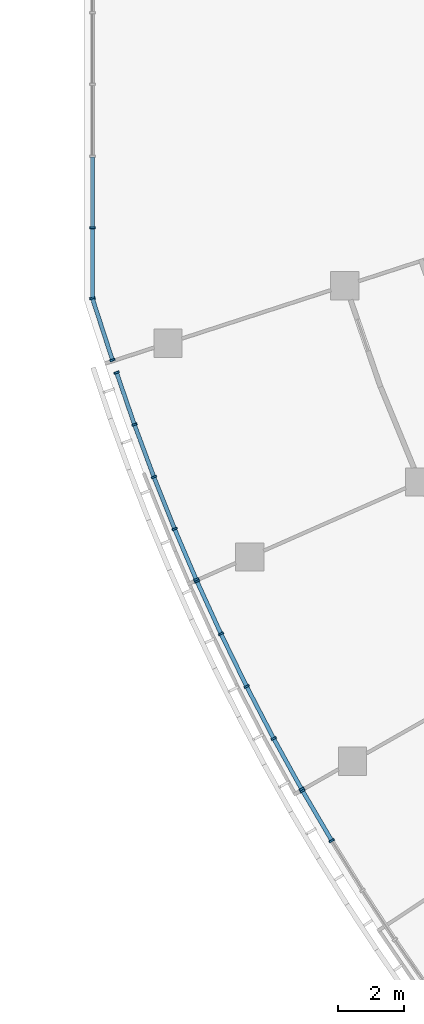
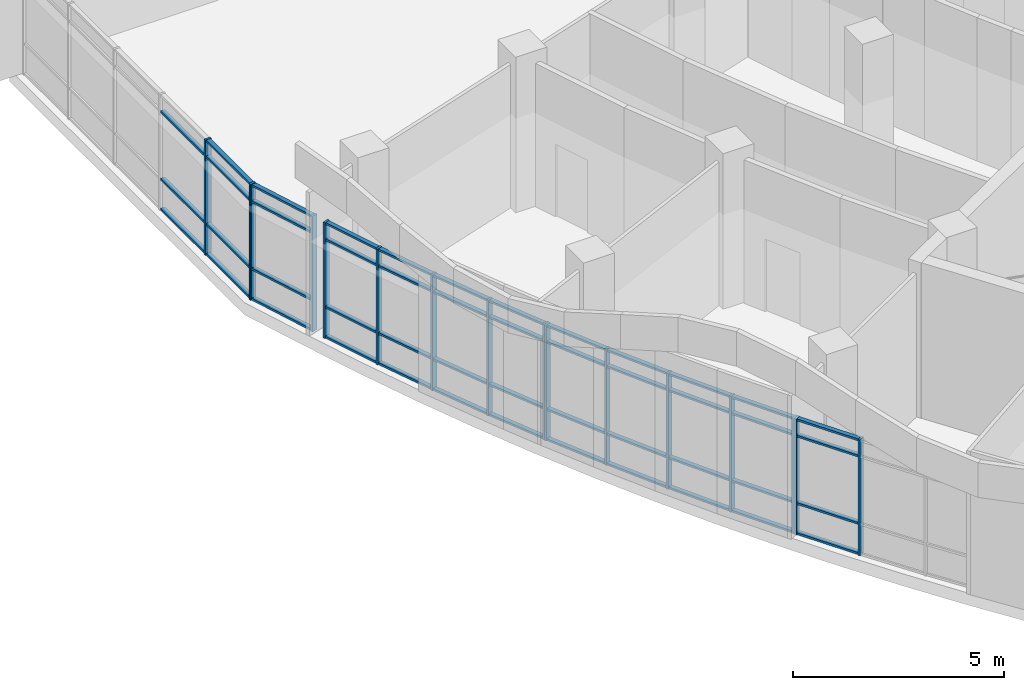
# One storey, part 17 of 136: 63 members, 5 elements without a shape of their own.
"""IFC4 building model written with IfcOpenShell, lengths in metres."""

from ifc_helpers import new_model, si_unit, direction, frame, origin, origin_2d, place, context, subcontext, project, spatial, rectangle, extrude, material, material_profile, profile_set, type_object, element, aggregate, save


model = new_model("IFC4")

# Units and contexts
model_context = context("Model", 3, precision=1e-05, world=origin(), true_north=direction((0.0, 1.0)))
body_context = subcontext(model_context, "Body", "Model", "MODEL_VIEW")
ifc_project = project(units=[si_unit("LENGTHUNIT", "METRE"), si_unit("AREAUNIT", "SQUARE_METRE"), si_unit("VOLUMEUNIT", "CUBIC_METRE"), si_unit("PLANEANGLEUNIT", "RADIAN"), si_unit("MASSUNIT", "GRAM", prefix="KILO")], contexts=[model_context])

# Site, building, storey
site_placement = place(None, origin())
site = spatial("IfcSite", under=ifc_project, at=site_placement, CompositionType="ELEMENT")
building_placement = place(site_placement, origin())
building = spatial("IfcBuilding", under=site, at=building_placement, Name="Bougainvillea Quay General Hospital", CompositionType="ELEMENT")
storey_placement = place(building_placement, frame((0.0, 0.0, 5.39990234375)))
storey = spatial("IfcBuildingStorey", under=building, at=storey_placement, Name="L01", CompositionType="ELEMENT", Elevation=5.39990234375)

# Curtain wall, members
ifc_material_1 = material(Name="Aluminium curtain wall system, powder-coated glazed", Category="aluminium")
curtain_wall_type_1 = type_object("IfcCurtainWallType", Name="Unitised curtain wall CW-2162", PredefinedType="NOTDEFINED", material=ifc_material_1)
curtain_wall_1_placement = place(storey_placement, origin())
curtain_wall_1 = element("IfcCurtainWall", 1, at=curtain_wall_1_placement, inside=storey, type_object=curtain_wall_type_1, Name="CW-AE 00", PredefinedType="NOTDEFINED")
ifc_material_2 = material(Name="Aluminium mullion, powder-coated charcoal", Category="aluminium")
ifc_material_profile_1 = material_profile(ifc_material_2, rectangle(XDim=0.159912109375, YDim=0.06005859375, at=origin_2d()))
ifc_profile_set_1 = profile_set([ifc_material_profile_1], Name="Aluminium mullion, powder-coated charcoal")
member_type_1 = type_object("IfcMemberType", Name="Curtain wall mullion 160x60", PredefinedType="MULLION", material=ifc_profile_set_1)
member_1_placement = place(storey_placement, frame((42.25, 108.457763671875, 0.0), z_axis=(0.0, 0.0, 1.0), x_axis=(1.0, 0.0, 0.0)))
member_1 = element("IfcMember", 2, at=member_1_placement, type_object=member_type_1, Name="CW-AE mullion 5", PredefinedType="MULLION", context=body_context, shape_type="SweptSolid", body=[
    extrude(rectangle(XDim=0.159912109375, YDim=0.06005859375, at=origin_2d()), origin(), (0.0, 0.0, 1.0), 3.35009765625),
])
member_2_placement = place(storey_placement, frame((42.25, 106.325927734375, 0.0), z_axis=(0.0, 0.0, 1.0), x_axis=(1.0, 0.0, 0.0)))
member_2 = element("IfcMember", 3, at=member_2_placement, type_object=member_type_1, Name="CW-AE mullion 6", PredefinedType="MULLION", context=body_context, shape_type="SweptSolid", body=[
    extrude(rectangle(XDim=0.159912109375, YDim=0.06005859375, at=origin_2d()), origin(), (0.0, 0.0, 1.0), 3.35009765625),
])

curtain_wall_type_2 = type_object("IfcCurtainWallType", Name="Unitised curtain wall CW-2027", PredefinedType="NOTDEFINED", material=ifc_material_1)
curtain_wall_2_placement = place(storey_placement, origin())
curtain_wall_2 = element("IfcCurtainWall", 4, at=curtain_wall_2_placement, inside=storey, type_object=curtain_wall_type_2, Name="CW-AE 00", PredefinedType="NOTDEFINED")
member_3_placement = place(storey_placement, frame((42.2470703125, 106.3447265625, 0.0), z_axis=(0.0, 0.0, 1.0), x_axis=(0.951073957858, 0.30896330961, 0.0)))
member_3 = element("IfcMember", 5, at=member_3_placement, type_object=member_type_1, Name="CW-AE mullion 1", PredefinedType="MULLION", context=body_context, shape_type="SweptSolid", body=[
    extrude(rectangle(XDim=0.159912109375, YDim=0.06005859375, at=origin_2d()), origin(), (0.0, 0.0, 1.0), 3.35009765625),
])
member_4_placement = place(storey_placement, frame((42.8544921875, 104.474853515625, 0.0), z_axis=(0.0, 0.0, 1.0), x_axis=(0.951073957858, 0.30896330961, 0.0)))
member_4 = element("IfcMember", 6, at=member_4_placement, type_object=member_type_1, Name="CW-AE mullion 2", PredefinedType="MULLION", context=body_context, shape_type="SweptSolid", body=[
    extrude(rectangle(XDim=0.159912109375, YDim=0.06005859375, at=origin_2d()), origin(), (0.0, 0.0, 1.0), 3.35009765625),
])

curtain_wall_type_3 = type_object("IfcCurtainWallType", Name="Unitised curtain wall CW-2100", PredefinedType="NOTDEFINED", material=ifc_material_1)
curtain_wall_3_placement = place(storey_placement, origin())
curtain_wall_3 = element("IfcCurtainWall", 7, at=curtain_wall_3_placement, inside=storey, type_object=curtain_wall_type_3, Name="CW-W06 a01b5", PredefinedType="NOTDEFINED")
member_5_placement = place(storey_placement, frame((49.46337890625, 89.99169921875, 0.0), z_axis=(0.0, 0.0, 1.0), x_axis=(-0.856438326455, -0.516249351553, 0.0)))
member_5 = element("IfcMember", 8, at=member_5_placement, type_object=member_type_1, Name="CW-W06 mullion 4", PredefinedType="MULLION", context=body_context, shape_type="SweptSolid", body=[
    extrude(rectangle(XDim=0.159912109375, YDim=0.06005859375, at=origin_2d()), origin(), (0.0, 0.0, 1.0), 3.35009765625),
])
member_6_placement = place(storey_placement, frame((48.584716796875, 91.491943359375, 0.0), z_axis=(0.0, 0.0, 1.0), x_axis=(-0.862915251166, -0.505348661129, 0.0)))
member_6 = element("IfcMember", 9, at=member_6_placement, type_object=member_type_1, Name="CW-W06 mullion 5", PredefinedType="MULLION", context=body_context, shape_type="SweptSolid", body=[
    extrude(rectangle(XDim=0.159912109375, YDim=0.06005859375, at=origin_2d()), origin(), (0.0, 0.0, 1.0), 3.35009765625),
])

curtain_wall_4_placement = place(storey_placement, origin())
curtain_wall_4 = element("IfcCurtainWall", 10, at=curtain_wall_4_placement, inside=storey, type_object=curtain_wall_type_3, Name="CW-W07 a01b6", PredefinedType="NOTDEFINED")
member_7_placement = place(storey_placement, frame((48.55517578125, 91.544189453125, 0.0), z_axis=(0.0, 0.0, 1.0), x_axis=(-0.875451874397, -0.483305302697, 0.0)))
member_7 = element("IfcMember", 11, at=member_7_placement, type_object=member_type_1, Name="CW-W07 mullion 1", PredefinedType="MULLION", context=body_context, shape_type="SweptSolid", body=[
    extrude(rectangle(XDim=0.159912109375, YDim=0.06005859375, at=origin_2d()), origin(), (0.0, 0.0, 1.0), 3.35009765625),
])
member_8_placement = place(storey_placement, frame((47.71484375, 93.06640625, 0.0), z_axis=(0.0, 0.0, 1.0), x_axis=(-0.881509557333, -0.472166178724, 0.0)))
member_8 = element("IfcMember", 12, at=member_8_placement, type_object=member_type_1, Name="CW-W07 mullion 2", PredefinedType="MULLION", context=body_context, shape_type="SweptSolid", body=[
    extrude(rectangle(XDim=0.159912109375, YDim=0.06005859375, at=origin_2d()), origin(), (0.0, 0.0, 1.0), 3.35009765625),
])
member_9_placement = place(storey_placement, frame((46.8994140625, 94.635986328125, 0.0), z_axis=(0.0, 0.0, 1.0), x_axis=(-0.893198796365, -0.449661995473, 0.0)))
member_9 = element("IfcMember", 13, at=member_9_placement, type_object=member_type_1, Name="CW-W07 mullion 3", PredefinedType="MULLION", context=body_context, shape_type="SweptSolid", body=[
    extrude(rectangle(XDim=0.159912109375, YDim=0.06005859375, at=origin_2d()), origin(), (0.0, 0.0, 1.0), 3.35009765625),
])
member_10_placement = place(storey_placement, frame((46.1240234375, 96.225830078125, 0.0), z_axis=(0.0, 0.0, 1.0), x_axis=(-0.904313640176, -0.426868645126, 0.0)))
member_10 = element("IfcMember", 14, at=member_10_placement, type_object=member_type_1, Name="CW-W07 mullion 4", PredefinedType="MULLION", context=body_context, shape_type="SweptSolid", body=[
    extrude(rectangle(XDim=0.159912109375, YDim=0.06005859375, at=origin_2d()), origin(), (0.0, 0.0, 1.0), 3.35009765625),
])
member_11_placement = place(storey_placement, frame((45.40185546875, 97.8076171875, 0.0), z_axis=(0.0, 0.0, 1.0), x_axis=(-0.909653415663, -0.415368105869, 0.0)))
member_11 = element("IfcMember", 15, at=member_11_placement, type_object=member_type_1, Name="CW-W07 mullion 5", PredefinedType="MULLION", context=body_context, shape_type="SweptSolid", body=[
    extrude(rectangle(XDim=0.159912109375, YDim=0.06005859375, at=origin_2d()), origin(), (0.0, 0.0, 1.0), 3.35009765625),
])

curtain_wall_5_placement = place(storey_placement, origin())
curtain_wall_5 = element("IfcCurtainWall", 16, at=curtain_wall_5_placement, inside=storey, type_object=curtain_wall_type_3, Name="CW-W08 a01b7", PredefinedType="NOTDEFINED")
member_12_placement = place(storey_placement, frame((45.377685546875, 97.862548828125, 0.0), z_axis=(0.0, 0.0, 1.0), x_axis=(-0.919658672607, -0.392718634519, 0.0)))
member_12 = element("IfcMember", 17, at=member_12_placement, type_object=member_type_1, Name="CW-W08 mullion 1", PredefinedType="MULLION", context=body_context, shape_type="SweptSolid", body=[
    extrude(rectangle(XDim=0.159912109375, YDim=0.06005859375, at=origin_2d()), origin(), (0.0, 0.0, 1.0), 3.35009765625),
])
member_13_placement = place(storey_placement, frame((44.7275390625, 99.384765625, 0.0), z_axis=(0.0, 0.0, 1.0), x_axis=(-0.924336164481, -0.381579159588, 0.0)))
member_13 = element("IfcMember", 18, at=member_13_placement, type_object=member_type_1, Name="CW-W08 mullion 2", PredefinedType="MULLION", context=body_context, shape_type="SweptSolid", body=[
    extrude(rectangle(XDim=0.159912109375, YDim=0.06005859375, at=origin_2d()), origin(), (0.0, 0.0, 1.0), 3.35009765625),
])
member_14_placement = place(storey_placement, frame((44.103271484375, 100.950439453125, 0.0), z_axis=(0.0, 0.0, 1.0), x_axis=(-0.9332857179, -0.359134750148, 0.0)))
member_14 = element("IfcMember", 19, at=member_14_placement, type_object=member_type_1, Name="CW-W08 mullion 3", PredefinedType="MULLION", context=body_context, shape_type="SweptSolid", body=[
    extrude(rectangle(XDim=0.159912109375, YDim=0.06005859375, at=origin_2d()), origin(), (0.0, 0.0, 1.0), 3.35009765625),
])
member_15_placement = place(storey_placement, frame((43.51708984375, 102.530517578125, 0.0), z_axis=(0.0, 0.0, 1.0), x_axis=(-0.941690376159, -0.336480661329, 0.0)))
member_15 = element("IfcMember", 20, at=member_15_placement, type_object=member_type_1, Name="CW-W08 mullion 4", PredefinedType="MULLION", context=body_context, shape_type="SweptSolid", body=[
    extrude(rectangle(XDim=0.159912109375, YDim=0.06005859375, at=origin_2d()), origin(), (0.0, 0.0, 1.0), 3.35009765625),
])
member_16_placement = place(storey_placement, frame((42.97900390625, 104.095947265625, 0.0), z_axis=(0.0, 0.0, 1.0), x_axis=(-0.945686823657, -0.325079115849, 0.0)))
member_16 = element("IfcMember", 21, at=member_16_placement, type_object=member_type_1, Name="CW-W08 mullion 5", PredefinedType="MULLION", context=body_context, shape_type="SweptSolid", body=[
    extrude(rectangle(XDim=0.159912109375, YDim=0.06005859375, at=origin_2d()), origin(), (0.0, 0.0, 1.0), 3.35009765625),
])

# Member
ifc_material_3 = material(Name="Aluminium transom, powder-coated charcoal", Category="aluminium")
ifc_material_profile_2 = material_profile(ifc_material_3, rectangle(XDim=0.1201171875, YDim=0.06005859375, at=origin_2d()))
ifc_profile_set_2 = profile_set([ifc_material_profile_2], Name="Aluminium transom, powder-coated charcoal")
member_type_2 = type_object("IfcMemberType", Name="Curtain wall transom 120x60", PredefinedType="USERDEFINED", material=ifc_profile_set_2)
member_17_placement = place(storey_placement, frame((42.25, 110.589599609375, 0.030029296875), z_axis=(0.0, -1.0, 0.0), x_axis=(1.0, 0.0, 0.0)))
member_17 = element("IfcMember", 22, at=member_17_placement, type_object=member_type_2, Name="CW-AE transom 4.1", ObjectType="TRANSOM", PredefinedType="USERDEFINED", context=body_context, shape_type="SweptSolid", body=[
    extrude(rectangle(XDim=0.1201171875, YDim=0.06005859375, at=origin_2d()), origin(), (0.0, 0.0, 1.0), 2.101806640625),
])

member_18_placement = place(storey_placement, frame((42.25, 110.589599609375, 0.900146484375), z_axis=(0.0, -1.0, 0.0), x_axis=(1.0, 0.0, 0.0)))
member_18 = element("IfcMember", 23, at=member_18_placement, type_object=member_type_2, Name="CW-AE transom 4.2", ObjectType="TRANSOM", PredefinedType="USERDEFINED", context=body_context, shape_type="SweptSolid", body=[
    extrude(rectangle(XDim=0.1201171875, YDim=0.06005859375, at=origin_2d()), origin(), (0.0, 0.0, 1.0), 2.101806640625),
])

member_19_placement = place(storey_placement, frame((42.25, 110.589599609375, 2.85009765625), z_axis=(0.0, -1.0, 0.0), x_axis=(1.0, 0.0, 0.0)))
member_19 = element("IfcMember", 24, at=member_19_placement, type_object=member_type_2, Name="CW-AE transom 4.3", ObjectType="TRANSOM", PredefinedType="USERDEFINED", context=body_context, shape_type="SweptSolid", body=[
    extrude(rectangle(XDim=0.1201171875, YDim=0.06005859375, at=origin_2d()), origin(), (0.0, 0.0, 1.0), 2.101806640625),
])

member_20_placement = place(storey_placement, frame((42.25, 108.427734375, 0.030029296875), z_axis=(0.0, -1.0, 0.0), x_axis=(1.0, 0.0, 0.0)))
member_20 = element("IfcMember", 25, at=member_20_placement, type_object=member_type_2, Name="CW-AE transom 5.1", ObjectType="TRANSOM", PredefinedType="USERDEFINED", context=body_context, shape_type="SweptSolid", body=[
    extrude(rectangle(XDim=0.1201171875, YDim=0.06005859375, at=origin_2d()), origin(), (0.0, 0.0, 1.0), 2.07177734375),
])

member_21_placement = place(storey_placement, frame((42.25, 108.427734375, 0.900146484375), z_axis=(0.0, -1.0, 0.0), x_axis=(1.0, 0.0, 0.0)))
member_21 = element("IfcMember", 26, at=member_21_placement, type_object=member_type_2, Name="CW-AE transom 5.2", ObjectType="TRANSOM", PredefinedType="USERDEFINED", context=body_context, shape_type="SweptSolid", body=[
    extrude(rectangle(XDim=0.1201171875, YDim=0.06005859375, at=origin_2d()), origin(), (0.0, 0.0, 1.0), 2.07177734375),
])

member_22_placement = place(storey_placement, frame((42.25, 108.427734375, 2.85009765625), z_axis=(0.0, -1.0, 0.0), x_axis=(1.0, 0.0, 0.0)))
member_22 = element("IfcMember", 27, at=member_22_placement, type_object=member_type_2, Name="CW-AE transom 5.3", ObjectType="TRANSOM", PredefinedType="USERDEFINED", context=body_context, shape_type="SweptSolid", body=[
    extrude(rectangle(XDim=0.1201171875, YDim=0.06005859375, at=origin_2d()), origin(), (0.0, 0.0, 1.0), 2.07177734375),
])

member_23_placement = place(storey_placement, frame((42.25, 108.427734375, 3.320068359375), z_axis=(0.0, -1.0, 0.0), x_axis=(1.0, 0.0, 0.0)))
member_23 = element("IfcMember", 28, at=member_23_placement, type_object=member_type_2, Name="CW-AE transom 5.4", ObjectType="TRANSOM", PredefinedType="USERDEFINED", context=body_context, shape_type="SweptSolid", body=[
    extrude(rectangle(XDim=0.1201171875, YDim=0.06005859375, at=origin_2d()), origin(), (0.0, 0.0, 1.0), 2.07177734375),
])

aggregate(curtain_wall_1, [member_1, member_2, member_17, member_18, member_19, member_20, member_21, member_22, member_23])

member_24_placement = place(storey_placement, frame((42.25634765625, 106.316162109375, 0.030029296875), z_axis=(0.308955733663, -0.951076418926, 0.0), x_axis=(0.951076418926, 0.308955733663, 0.0)))
member_24 = element("IfcMember", 29, at=member_24_placement, type_object=member_type_2, Name="CW-AE transom 1.1", ObjectType="TRANSOM", PredefinedType="USERDEFINED", context=body_context, shape_type="SweptSolid", body=[
    extrude(rectangle(XDim=0.1201171875, YDim=0.06005859375, at=origin_2d()), origin(), (0.0, 0.0, 1.0), 1.906005859375),
])

member_25_placement = place(storey_placement, frame((42.25634765625, 106.316162109375, 0.900146484375), z_axis=(0.308955733663, -0.951076418926, 0.0), x_axis=(0.951076418926, 0.308955733663, 0.0)))
member_25 = element("IfcMember", 30, at=member_25_placement, type_object=member_type_2, Name="CW-AE transom 1.2", ObjectType="TRANSOM", PredefinedType="USERDEFINED", context=body_context, shape_type="SweptSolid", body=[
    extrude(rectangle(XDim=0.1201171875, YDim=0.06005859375, at=origin_2d()), origin(), (0.0, 0.0, 1.0), 1.906005859375),
])

member_26_placement = place(storey_placement, frame((42.25634765625, 106.316162109375, 2.85009765625), z_axis=(0.308955733663, -0.951076418926, 0.0), x_axis=(0.951076418926, 0.308955733663, 0.0)))
member_26 = element("IfcMember", 31, at=member_26_placement, type_object=member_type_2, Name="CW-AE transom 1.3", ObjectType="TRANSOM", PredefinedType="USERDEFINED", context=body_context, shape_type="SweptSolid", body=[
    extrude(rectangle(XDim=0.1201171875, YDim=0.06005859375, at=origin_2d()), origin(), (0.0, 0.0, 1.0), 1.906005859375),
])

member_27_placement = place(storey_placement, frame((42.25634765625, 106.316162109375, 3.320068359375), z_axis=(0.308955733663, -0.951076418926, 0.0), x_axis=(0.951076418926, 0.308955733663, 0.0)))
member_27 = element("IfcMember", 32, at=member_27_placement, type_object=member_type_2, Name="CW-AE transom 1.4", ObjectType="TRANSOM", PredefinedType="USERDEFINED", context=body_context, shape_type="SweptSolid", body=[
    extrude(rectangle(XDim=0.1201171875, YDim=0.06005859375, at=origin_2d()), origin(), (0.0, 0.0, 1.0), 1.906005859375),
])

aggregate(curtain_wall_2, [member_3, member_4, member_24, member_25, member_26, member_27])

member_28_placement = place(storey_placement, frame((49.4482421875, 90.017578125, 0.030029296875), z_axis=(-0.505398470554, 0.862886079365, 0.0), x_axis=(-0.862886079365, -0.505398470554, 0.0)))
member_28 = element("IfcMember", 33, at=member_28_placement, type_object=member_type_2, Name="CW-W06 transom 4.1", ObjectType="TRANSOM", PredefinedType="USERDEFINED", context=body_context, shape_type="SweptSolid", body=[
    extrude(rectangle(XDim=0.1201171875, YDim=0.06005859375, at=origin_2d()), origin(), (0.0, 0.0, 1.0), 1.6787109375),
])

member_29_placement = place(storey_placement, frame((49.4482421875, 90.017578125, 0.900146484375), z_axis=(-0.505398470554, 0.862886079365, 0.0), x_axis=(-0.862886079365, -0.505398470554, 0.0)))
member_29 = element("IfcMember", 34, at=member_29_placement, type_object=member_type_2, Name="CW-W06 transom 4.2", ObjectType="TRANSOM", PredefinedType="USERDEFINED", context=body_context, shape_type="SweptSolid", body=[
    extrude(rectangle(XDim=0.1201171875, YDim=0.06005859375, at=origin_2d()), origin(), (0.0, 0.0, 1.0), 1.6787109375),
])

member_30_placement = place(storey_placement, frame((49.4482421875, 90.017578125, 2.85009765625), z_axis=(-0.505398470554, 0.862886079365, 0.0), x_axis=(-0.862886079365, -0.505398470554, 0.0)))
member_30 = element("IfcMember", 35, at=member_30_placement, type_object=member_type_2, Name="CW-W06 transom 4.3", ObjectType="TRANSOM", PredefinedType="USERDEFINED", context=body_context, shape_type="SweptSolid", body=[
    extrude(rectangle(XDim=0.1201171875, YDim=0.06005859375, at=origin_2d()), origin(), (0.0, 0.0, 1.0), 1.6787109375),
])

member_31_placement = place(storey_placement, frame((49.4482421875, 90.017578125, 3.320068359375), z_axis=(-0.505398470554, 0.862886079365, 0.0), x_axis=(-0.862886079365, -0.505398470554, 0.0)))
member_31 = element("IfcMember", 36, at=member_31_placement, type_object=member_type_2, Name="CW-W06 transom 4.4", ObjectType="TRANSOM", PredefinedType="USERDEFINED", context=body_context, shape_type="SweptSolid", body=[
    extrude(rectangle(XDim=0.1201171875, YDim=0.06005859375, at=origin_2d()), origin(), (0.0, 0.0, 1.0), 1.6787109375),
])

aggregate(curtain_wall_3, [member_5, member_6, member_28, member_29, member_30, member_31])

member_32_placement = place(storey_placement, frame((48.54052734375, 91.570556640625, 0.030029296875), z_axis=(-0.483319558897, 0.875444003913, 0.0), x_axis=(-0.875444003913, -0.483319558897, 0.0)))
member_32 = element("IfcMember", 37, at=member_32_placement, type_object=member_type_2, Name="CW-W07 transom 1.1", ObjectType="TRANSOM", PredefinedType="USERDEFINED", context=body_context, shape_type="SweptSolid", body=[
    extrude(rectangle(XDim=0.1201171875, YDim=0.06005859375, at=origin_2d()), origin(), (0.0, 0.0, 1.0), 1.678466796875),
])

member_33_placement = place(storey_placement, frame((48.54052734375, 91.570556640625, 0.900146484375), z_axis=(-0.483319558897, 0.875444003913, 0.0), x_axis=(-0.875444003913, -0.483319558897, 0.0)))
member_33 = element("IfcMember", 38, at=member_33_placement, type_object=member_type_2, Name="CW-W07 transom 1.2", ObjectType="TRANSOM", PredefinedType="USERDEFINED", context=body_context, shape_type="SweptSolid", body=[
    extrude(rectangle(XDim=0.1201171875, YDim=0.06005859375, at=origin_2d()), origin(), (0.0, 0.0, 1.0), 1.678466796875),
])

member_34_placement = place(storey_placement, frame((48.54052734375, 91.570556640625, 2.85009765625), z_axis=(-0.483319558897, 0.875444003913, 0.0), x_axis=(-0.875444003913, -0.483319558897, 0.0)))
member_34 = element("IfcMember", 39, at=member_34_placement, type_object=member_type_2, Name="CW-W07 transom 1.3", ObjectType="TRANSOM", PredefinedType="USERDEFINED", context=body_context, shape_type="SweptSolid", body=[
    extrude(rectangle(XDim=0.1201171875, YDim=0.06005859375, at=origin_2d()), origin(), (0.0, 0.0, 1.0), 1.678466796875),
])

member_35_placement = place(storey_placement, frame((48.54052734375, 91.570556640625, 3.320068359375), z_axis=(-0.483319558897, 0.875444003913, 0.0), x_axis=(-0.875444003913, -0.483319558897, 0.0)))
member_35 = element("IfcMember", 40, at=member_35_placement, type_object=member_type_2, Name="CW-W07 transom 1.4", ObjectType="TRANSOM", PredefinedType="USERDEFINED", context=body_context, shape_type="SweptSolid", body=[
    extrude(rectangle(XDim=0.1201171875, YDim=0.06005859375, at=origin_2d()), origin(), (0.0, 0.0, 1.0), 1.678466796875),
])

member_36_placement = place(storey_placement, frame((47.700927734375, 93.093017578125, 0.030029296875), z_axis=(-0.460934299369, 0.887434263292, 0.0), x_axis=(-0.887434263292, -0.460934299369, 0.0)))
member_36 = element("IfcMember", 41, at=member_36_placement, type_object=member_type_2, Name="CW-W07 transom 2.1", ObjectType="TRANSOM", PredefinedType="USERDEFINED", context=body_context, shape_type="SweptSolid", body=[
    extrude(rectangle(XDim=0.1201171875, YDim=0.06005859375, at=origin_2d()), origin(), (0.0, 0.0, 1.0), 1.708740234375),
])

member_37_placement = place(storey_placement, frame((47.700927734375, 93.093017578125, 0.900146484375), z_axis=(-0.460934299369, 0.887434263292, 0.0), x_axis=(-0.887434263292, -0.460934299369, 0.0)))
member_37 = element("IfcMember", 42, at=member_37_placement, type_object=member_type_2, Name="CW-W07 transom 2.2", ObjectType="TRANSOM", PredefinedType="USERDEFINED", context=body_context, shape_type="SweptSolid", body=[
    extrude(rectangle(XDim=0.1201171875, YDim=0.06005859375, at=origin_2d()), origin(), (0.0, 0.0, 1.0), 1.708740234375),
])

member_38_placement = place(storey_placement, frame((47.700927734375, 93.093017578125, 2.85009765625), z_axis=(-0.460934299369, 0.887434263292, 0.0), x_axis=(-0.887434263292, -0.460934299369, 0.0)))
member_38 = element("IfcMember", 43, at=member_38_placement, type_object=member_type_2, Name="CW-W07 transom 2.3", ObjectType="TRANSOM", PredefinedType="USERDEFINED", context=body_context, shape_type="SweptSolid", body=[
    extrude(rectangle(XDim=0.1201171875, YDim=0.06005859375, at=origin_2d()), origin(), (0.0, 0.0, 1.0), 1.708740234375),
])

member_39_placement = place(storey_placement, frame((47.700927734375, 93.093017578125, 3.320068359375), z_axis=(-0.460934299369, 0.887434263292, 0.0), x_axis=(-0.887434263292, -0.460934299369, 0.0)))
member_39 = element("IfcMember", 44, at=member_39_placement, type_object=member_type_2, Name="CW-W07 transom 2.4", ObjectType="TRANSOM", PredefinedType="USERDEFINED", context=body_context, shape_type="SweptSolid", body=[
    extrude(rectangle(XDim=0.1201171875, YDim=0.06005859375, at=origin_2d()), origin(), (0.0, 0.0, 1.0), 1.708740234375),
])

member_40_placement = place(storey_placement, frame((46.88623046875, 94.6630859375, 0.030029296875), z_axis=(-0.4383335534, 0.898812380847, 0.0), x_axis=(-0.898812380847, -0.4383335534, 0.0)))
member_40 = element("IfcMember", 45, at=member_40_placement, type_object=member_type_2, Name="CW-W07 transom 3.1", ObjectType="TRANSOM", PredefinedType="USERDEFINED", context=body_context, shape_type="SweptSolid", body=[
    extrude(rectangle(XDim=0.1201171875, YDim=0.06005859375, at=origin_2d()), origin(), (0.0, 0.0, 1.0), 1.708740234375),
])

member_41_placement = place(storey_placement, frame((46.88623046875, 94.6630859375, 0.900146484375), z_axis=(-0.4383335534, 0.898812380847, 0.0), x_axis=(-0.898812380847, -0.4383335534, 0.0)))
member_41 = element("IfcMember", 46, at=member_41_placement, type_object=member_type_2, Name="CW-W07 transom 3.2", ObjectType="TRANSOM", PredefinedType="USERDEFINED", context=body_context, shape_type="SweptSolid", body=[
    extrude(rectangle(XDim=0.1201171875, YDim=0.06005859375, at=origin_2d()), origin(), (0.0, 0.0, 1.0), 1.708740234375),
])

member_42_placement = place(storey_placement, frame((46.88623046875, 94.6630859375, 2.85009765625), z_axis=(-0.4383335534, 0.898812380847, 0.0), x_axis=(-0.898812380847, -0.4383335534, 0.0)))
member_42 = element("IfcMember", 47, at=member_42_placement, type_object=member_type_2, Name="CW-W07 transom 3.3", ObjectType="TRANSOM", PredefinedType="USERDEFINED", context=body_context, shape_type="SweptSolid", body=[
    extrude(rectangle(XDim=0.1201171875, YDim=0.06005859375, at=origin_2d()), origin(), (0.0, 0.0, 1.0), 1.708740234375),
])

member_43_placement = place(storey_placement, frame((46.88623046875, 94.6630859375, 3.320068359375), z_axis=(-0.4383335534, 0.898812380847, 0.0), x_axis=(-0.898812380847, -0.4383335534, 0.0)))
member_43 = element("IfcMember", 48, at=member_43_placement, type_object=member_type_2, Name="CW-W07 transom 3.4", ObjectType="TRANSOM", PredefinedType="USERDEFINED", context=body_context, shape_type="SweptSolid", body=[
    extrude(rectangle(XDim=0.1201171875, YDim=0.06005859375, at=origin_2d()), origin(), (0.0, 0.0, 1.0), 1.708740234375),
])

member_44_placement = place(storey_placement, frame((46.111572265625, 96.253173828125, 0.030029296875), z_axis=(-0.415347290214, 0.909662920269, 0.0), x_axis=(-0.909662920269, -0.415347290214, 0.0)))
member_44 = element("IfcMember", 49, at=member_44_placement, type_object=member_type_2, Name="CW-W07 transom 4.1", ObjectType="TRANSOM", PredefinedType="USERDEFINED", context=body_context, shape_type="SweptSolid", body=[
    extrude(rectangle(XDim=0.1201171875, YDim=0.06005859375, at=origin_2d()), origin(), (0.0, 0.0, 1.0), 1.6787109375),
])

member_45_placement = place(storey_placement, frame((46.111572265625, 96.253173828125, 0.900146484375), z_axis=(-0.415347290214, 0.909662920269, 0.0), x_axis=(-0.909662920269, -0.415347290214, 0.0)))
member_45 = element("IfcMember", 50, at=member_45_placement, type_object=member_type_2, Name="CW-W07 transom 4.2", ObjectType="TRANSOM", PredefinedType="USERDEFINED", context=body_context, shape_type="SweptSolid", body=[
    extrude(rectangle(XDim=0.1201171875, YDim=0.06005859375, at=origin_2d()), origin(), (0.0, 0.0, 1.0), 1.6787109375),
])

member_46_placement = place(storey_placement, frame((46.111572265625, 96.253173828125, 2.85009765625), z_axis=(-0.415347290214, 0.909662920269, 0.0), x_axis=(-0.909662920269, -0.415347290214, 0.0)))
member_46 = element("IfcMember", 51, at=member_46_placement, type_object=member_type_2, Name="CW-W07 transom 4.3", ObjectType="TRANSOM", PredefinedType="USERDEFINED", context=body_context, shape_type="SweptSolid", body=[
    extrude(rectangle(XDim=0.1201171875, YDim=0.06005859375, at=origin_2d()), origin(), (0.0, 0.0, 1.0), 1.6787109375),
])

member_47_placement = place(storey_placement, frame((46.111572265625, 96.253173828125, 3.320068359375), z_axis=(-0.415347290214, 0.909662920269, 0.0), x_axis=(-0.909662920269, -0.415347290214, 0.0)))
member_47 = element("IfcMember", 52, at=member_47_placement, type_object=member_type_2, Name="CW-W07 transom 4.4", ObjectType="TRANSOM", PredefinedType="USERDEFINED", context=body_context, shape_type="SweptSolid", body=[
    extrude(rectangle(XDim=0.1201171875, YDim=0.06005859375, at=origin_2d()), origin(), (0.0, 0.0, 1.0), 1.6787109375),
])

aggregate(curtain_wall_4, [member_7, member_8, member_9, member_10, member_11, member_32, member_33, member_34, member_35, member_36, member_37, member_38, member_39, member_40, member_41, member_42, member_43, member_44, member_45, member_46, member_47])

member_48_placement = place(storey_placement, frame((45.365966796875, 97.89013671875, 0.030029296875), z_axis=(-0.392847767155, 0.919603518828, 0.0), x_axis=(-0.919603518828, -0.392847767155, 0.0)))
member_48 = element("IfcMember", 53, at=member_48_placement, type_object=member_type_2, Name="CW-W08 transom 1.1", ObjectType="TRANSOM", PredefinedType="USERDEFINED", context=body_context, shape_type="SweptSolid", body=[
    extrude(rectangle(XDim=0.1201171875, YDim=0.06005859375, at=origin_2d()), origin(), (0.0, 0.0, 1.0), 1.59521484375),
])

member_49_placement = place(storey_placement, frame((45.365966796875, 97.89013671875, 0.900146484375), z_axis=(-0.392847767155, 0.919603518828, 0.0), x_axis=(-0.919603518828, -0.392847767155, 0.0)))
member_49 = element("IfcMember", 54, at=member_49_placement, type_object=member_type_2, Name="CW-W08 transom 1.2", ObjectType="TRANSOM", PredefinedType="USERDEFINED", context=body_context, shape_type="SweptSolid", body=[
    extrude(rectangle(XDim=0.1201171875, YDim=0.06005859375, at=origin_2d()), origin(), (0.0, 0.0, 1.0), 1.59521484375),
])

member_50_placement = place(storey_placement, frame((45.365966796875, 97.89013671875, 2.85009765625), z_axis=(-0.392847767155, 0.919603518828, 0.0), x_axis=(-0.919603518828, -0.392847767155, 0.0)))
member_50 = element("IfcMember", 55, at=member_50_placement, type_object=member_type_2, Name="CW-W08 transom 1.3", ObjectType="TRANSOM", PredefinedType="USERDEFINED", context=body_context, shape_type="SweptSolid", body=[
    extrude(rectangle(XDim=0.1201171875, YDim=0.06005859375, at=origin_2d()), origin(), (0.0, 0.0, 1.0), 1.59521484375),
])

member_51_placement = place(storey_placement, frame((45.365966796875, 97.89013671875, 3.320068359375), z_axis=(-0.392847767155, 0.919603518828, 0.0), x_axis=(-0.919603518828, -0.392847767155, 0.0)))
member_51 = element("IfcMember", 56, at=member_51_placement, type_object=member_type_2, Name="CW-W08 transom 1.4", ObjectType="TRANSOM", PredefinedType="USERDEFINED", context=body_context, shape_type="SweptSolid", body=[
    extrude(rectangle(XDim=0.1201171875, YDim=0.06005859375, at=origin_2d()), origin(), (0.0, 0.0, 1.0), 1.59521484375),
])

member_52_placement = place(storey_placement, frame((44.716552734375, 99.412841796875, 0.030029296875), z_axis=(-0.370406363802, 0.928869810929, 0.0), x_axis=(-0.928869810929, -0.370406363802, 0.0)))
member_52 = element("IfcMember", 57, at=member_52_placement, type_object=member_type_2, Name="CW-W08 transom 2.1", ObjectType="TRANSOM", PredefinedType="USERDEFINED", context=body_context, shape_type="SweptSolid", body=[
    extrude(rectangle(XDim=0.1201171875, YDim=0.06005859375, at=origin_2d()), origin(), (0.0, 0.0, 1.0), 1.62548828125),
])

member_53_placement = place(storey_placement, frame((44.716552734375, 99.412841796875, 0.900146484375), z_axis=(-0.370406363802, 0.928869810929, 0.0), x_axis=(-0.928869810929, -0.370406363802, 0.0)))
member_53 = element("IfcMember", 58, at=member_53_placement, type_object=member_type_2, Name="CW-W08 transom 2.2", ObjectType="TRANSOM", PredefinedType="USERDEFINED", context=body_context, shape_type="SweptSolid", body=[
    extrude(rectangle(XDim=0.1201171875, YDim=0.06005859375, at=origin_2d()), origin(), (0.0, 0.0, 1.0), 1.62548828125),
])

member_54_placement = place(storey_placement, frame((44.716552734375, 99.412841796875, 2.85009765625), z_axis=(-0.370406363802, 0.928869810929, 0.0), x_axis=(-0.928869810929, -0.370406363802, 0.0)))
member_54 = element("IfcMember", 59, at=member_54_placement, type_object=member_type_2, Name="CW-W08 transom 2.3", ObjectType="TRANSOM", PredefinedType="USERDEFINED", context=body_context, shape_type="SweptSolid", body=[
    extrude(rectangle(XDim=0.1201171875, YDim=0.06005859375, at=origin_2d()), origin(), (0.0, 0.0, 1.0), 1.62548828125),
])

member_55_placement = place(storey_placement, frame((44.716552734375, 99.412841796875, 3.320068359375), z_axis=(-0.370406363802, 0.928869810929, 0.0), x_axis=(-0.928869810929, -0.370406363802, 0.0)))
member_55 = element("IfcMember", 60, at=member_55_placement, type_object=member_type_2, Name="CW-W08 transom 2.4", ObjectType="TRANSOM", PredefinedType="USERDEFINED", context=body_context, shape_type="SweptSolid", body=[
    extrude(rectangle(XDim=0.1201171875, YDim=0.06005859375, at=origin_2d()), origin(), (0.0, 0.0, 1.0), 1.62548828125),
])

member_56_placement = place(storey_placement, frame((44.093017578125, 100.978515625, 0.030029296875), z_axis=(-0.347862189765, 0.937545677251, 0.0), x_axis=(-0.937545677251, -0.347862189765, 0.0)))
member_56 = element("IfcMember", 61, at=member_56_placement, type_object=member_type_2, Name="CW-W08 transom 3.1", ObjectType="TRANSOM", PredefinedType="USERDEFINED", context=body_context, shape_type="SweptSolid", body=[
    extrude(rectangle(XDim=0.1201171875, YDim=0.06005859375, at=origin_2d()), origin(), (0.0, 0.0, 1.0), 1.62548828125),
])

member_57_placement = place(storey_placement, frame((44.093017578125, 100.978515625, 0.900146484375), z_axis=(-0.347862189765, 0.937545677251, 0.0), x_axis=(-0.937545677251, -0.347862189765, 0.0)))
member_57 = element("IfcMember", 62, at=member_57_placement, type_object=member_type_2, Name="CW-W08 transom 3.2", ObjectType="TRANSOM", PredefinedType="USERDEFINED", context=body_context, shape_type="SweptSolid", body=[
    extrude(rectangle(XDim=0.1201171875, YDim=0.06005859375, at=origin_2d()), origin(), (0.0, 0.0, 1.0), 1.62548828125),
])

member_58_placement = place(storey_placement, frame((44.093017578125, 100.978515625, 2.85009765625), z_axis=(-0.347862189765, 0.937545677251, 0.0), x_axis=(-0.937545677251, -0.347862189765, 0.0)))
member_58 = element("IfcMember", 63, at=member_58_placement, type_object=member_type_2, Name="CW-W08 transom 3.3", ObjectType="TRANSOM", PredefinedType="USERDEFINED", context=body_context, shape_type="SweptSolid", body=[
    extrude(rectangle(XDim=0.1201171875, YDim=0.06005859375, at=origin_2d()), origin(), (0.0, 0.0, 1.0), 1.62548828125),
])

member_59_placement = place(storey_placement, frame((44.093017578125, 100.978515625, 3.320068359375), z_axis=(-0.347862189765, 0.937545677251, 0.0), x_axis=(-0.937545677251, -0.347862189765, 0.0)))
member_59 = element("IfcMember", 64, at=member_59_placement, type_object=member_type_2, Name="CW-W08 transom 3.4", ObjectType="TRANSOM", PredefinedType="USERDEFINED", context=body_context, shape_type="SweptSolid", body=[
    extrude(rectangle(XDim=0.1201171875, YDim=0.06005859375, at=origin_2d()), origin(), (0.0, 0.0, 1.0), 1.62548828125),
])

member_60_placement = place(storey_placement, frame((43.50732421875, 102.558837890625, 0.030029296875), z_axis=(-0.325028447329, 0.945704239404, 0.0), x_axis=(-0.945704239404, -0.325028447329, 0.0)))
member_60 = element("IfcMember", 65, at=member_60_placement, type_object=member_type_2, Name="CW-W08 transom 4.1", ObjectType="TRANSOM", PredefinedType="USERDEFINED", context=body_context, shape_type="SweptSolid", body=[
    extrude(rectangle(XDim=0.1201171875, YDim=0.06005859375, at=origin_2d()), origin(), (0.0, 0.0, 1.0), 1.595458984375),
])

member_61_placement = place(storey_placement, frame((43.50732421875, 102.558837890625, 0.900146484375), z_axis=(-0.325028447329, 0.945704239404, 0.0), x_axis=(-0.945704239404, -0.325028447329, 0.0)))
member_61 = element("IfcMember", 66, at=member_61_placement, type_object=member_type_2, Name="CW-W08 transom 4.2", ObjectType="TRANSOM", PredefinedType="USERDEFINED", context=body_context, shape_type="SweptSolid", body=[
    extrude(rectangle(XDim=0.1201171875, YDim=0.06005859375, at=origin_2d()), origin(), (0.0, 0.0, 1.0), 1.595458984375),
])

member_62_placement = place(storey_placement, frame((43.50732421875, 102.558837890625, 2.85009765625), z_axis=(-0.325028447329, 0.945704239404, 0.0), x_axis=(-0.945704239404, -0.325028447329, 0.0)))
member_62 = element("IfcMember", 67, at=member_62_placement, type_object=member_type_2, Name="CW-W08 transom 4.3", ObjectType="TRANSOM", PredefinedType="USERDEFINED", context=body_context, shape_type="SweptSolid", body=[
    extrude(rectangle(XDim=0.1201171875, YDim=0.06005859375, at=origin_2d()), origin(), (0.0, 0.0, 1.0), 1.595458984375),
])

member_63_placement = place(storey_placement, frame((43.50732421875, 102.558837890625, 3.320068359375), z_axis=(-0.325028447329, 0.945704239404, 0.0), x_axis=(-0.945704239404, -0.325028447329, 0.0)))
member_63 = element("IfcMember", 68, at=member_63_placement, type_object=member_type_2, Name="CW-W08 transom 4.4", ObjectType="TRANSOM", PredefinedType="USERDEFINED", context=body_context, shape_type="SweptSolid", body=[
    extrude(rectangle(XDim=0.1201171875, YDim=0.06005859375, at=origin_2d()), origin(), (0.0, 0.0, 1.0), 1.595458984375),
])

aggregate(curtain_wall_5, [member_12, member_13, member_14, member_15, member_16, member_48, member_49, member_50, member_51, member_52, member_53, member_54, member_55, member_56, member_57, member_58, member_59, member_60, member_61, member_62, member_63])

save(model, "model.ifc")
